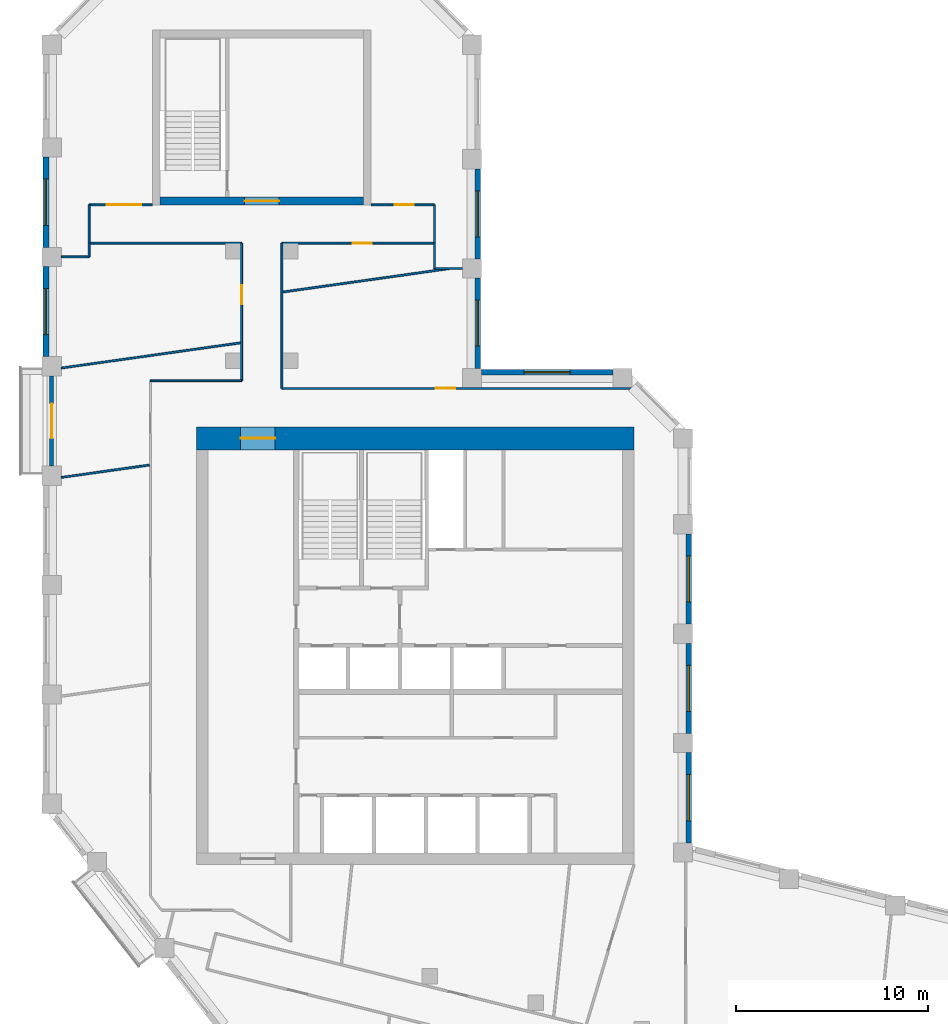
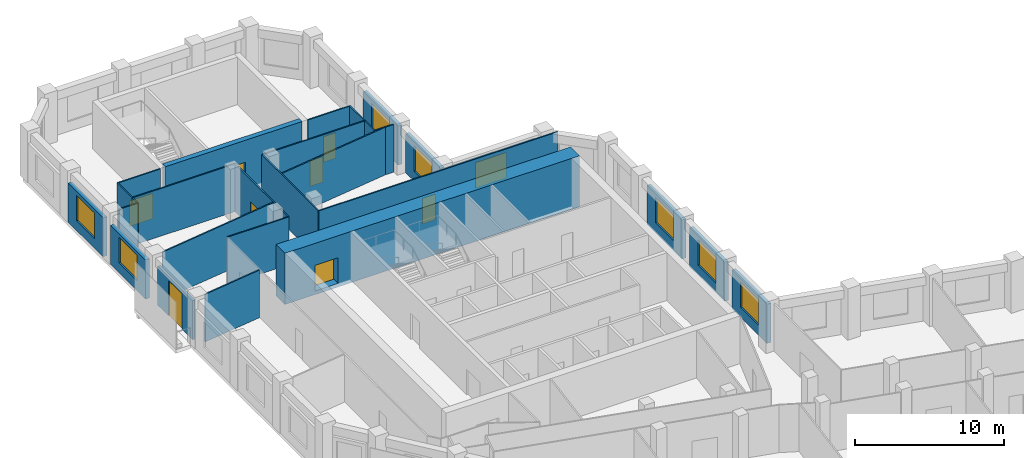
# One storey, part 6 of 9: 28 walls, 8 doors, 8 windows, 16 openings.
"""IFC4 building model written with IfcOpenShell, lengths in metres."""

from ifc_helpers import new_model, si_unit, direction, frame, frame_2d, origin, place, context, subcontext, project, spatial, rectangle, extrude, material, layer, layer_set, type_object, element, fill, save


model = new_model("IFC4")

# Units and contexts
model_context = context("Model", 3, precision=1e-05, world=origin(), true_north=direction((0.0, 1.0)))
body_context = subcontext(model_context, "Body", "Model", "MODEL_VIEW")
ifc_project = project(units=[si_unit("LENGTHUNIT", "METRE"), si_unit("AREAUNIT", "SQUARE_METRE"), si_unit("VOLUMEUNIT", "CUBIC_METRE"), si_unit("PLANEANGLEUNIT", "RADIAN"), si_unit("MASSUNIT", "GRAM", prefix="KILO")], contexts=[model_context])

# Site, building, storey
site_placement = place(None, origin())
site = spatial("IfcSite", under=ifc_project, at=site_placement, CompositionType="ELEMENT")
building_placement = place(site_placement, origin())
building = spatial("IfcBuilding", under=site, at=building_placement, Name="Meshkara Civic Tower", CompositionType="ELEMENT")
storey_placement = place(building_placement, frame((0.0, 0.0, 315.0)))
storey = spatial("IfcBuildingStorey", under=building, at=storey_placement, Name="L72", CompositionType="ELEMENT", Elevation=315.0)

# Wall, opening, door
ifc_material_1 = material(Name="Concrete C60", Category="concrete")
ifc_layer_1 = layer(ifc_material_1, 1.199951171875)
ifc_layer_set_1 = layer_set([ifc_layer_1], Name="Core ring wall 1200 C60")
wall_type_1 = type_object("IfcWallType", Name="Core ring wall 1200 C60", PredefinedType="SHEAR", material=ifc_layer_set_1)
wall_1_placement = place(storey_placement, frame((8.0, 36.300048828125, -0.300048828125), z_axis=(0.0, 0.0, 1.0), x_axis=(1.0, 0.0, 0.0)))
wall_1 = element("IfcWall", 1, at=wall_1_placement, inside=storey, type_object=wall_type_1, Name="L72-C002", PredefinedType="SHEAR", context=body_context, shape_type="SweptSolid", body=[
    extrude(rectangle(XDim=22.800048828125, YDim=1.199951171875, at=frame_2d((11.39990234375, 0.0))), origin(), (0.0, 0.0, 1.0), 4.199951171875),
])
opening_1_placement = place(wall_1_placement, frame((2.300048828125, 0.0, 0.300048828125)))
opening_1 = element("IfcOpeningElement", 2, at=opening_1_placement, cuts=wall_1, Name="Opening L72-K022", PredefinedType="OPENING", context=body_context, shape_type="SweptSolid", body=[
    extrude(rectangle(XDim=1.800048828125, YDim=2.10009765625, at=frame_2d((0.89990234375, 1.050048828125))), frame((0.0, 0.60986328125, 0.0), z_axis=(0.0, -1.0, 0.0), x_axis=(1.0, 0.0, 0.0)), (0.0, 0.0, 1.0), 1.219970703125),
])
ifc_material_2 = material(Name="Fire-rated door leaf in steel frame", Category="steel")
door_type_1 = type_object("IfcDoorType", Name="Core double door 1800 EI 60", OperationType="DOUBLE_DOOR_SINGLE_SWING", PredefinedType="DOOR", material=ifc_material_2)
door_1_placement = place(opening_1_placement, origin())
door_1 = element("IfcDoor", 3, at=door_1_placement, inside=storey, type_object=door_type_1, Name="L72-K022", OperationType="DOUBLE_DOOR_SINGLE_SWING", OverallHeight=2.10009765625, OverallWidth=1.800048828125, PredefinedType="DOOR", context=body_context, shape_type="SweptSolid", body=[
    extrude(rectangle(XDim=1.800048828125, YDim=2.10009765625, at=frame_2d((0.89990234375, 1.050048828125))), frame((0.0, 0.02490234375, 0.0), z_axis=(0.0, -1.0, 0.0), x_axis=(1.0, 0.0, 0.0)), (0.0, 0.0, 1.0), 0.050048828125),
])
fill(opening_1, door_1)

# Walls
ifc_material_3 = material(Name="Corridor wall 100")
ifc_layer_2 = layer(ifc_material_3, 0.10009765625)
ifc_layer_set_2 = layer_set([ifc_layer_2], Name="Corridor wall 100")
wall_type_2 = type_object("IfcWallType", Name="Corridor wall 100", PredefinedType="PARTITIONING", material=ifc_layer_set_2)
wall_2_placement = place(storey_placement, frame((2.39990234375, 46.469970703125, 0.0), z_axis=(0.0, 0.0, 1.0), x_axis=(1.0, 0.0, 0.0)))
element("IfcWall", 4, at=wall_2_placement, inside=storey, type_object=wall_type_2, Name="L72-W001", PredefinedType="PARTITIONING", context=body_context, shape_type="SweptSolid", body=[
    extrude(rectangle(XDim=7.9501953125, YDim=0.10009765625, at=frame_2d((3.97509765625, 0.0))), origin(), (0.0, 0.0, 1.0), 3.89990234375),
])
wall_3_placement = place(storey_placement, frame((2.39990234375, 48.469970703125, 0.0), z_axis=(0.0, 0.0, 1.0), x_axis=(0.0, -1.0, 0.0)))
element("IfcWall", 5, at=wall_3_placement, inside=storey, type_object=wall_type_2, Name="L72-W002", PredefinedType="PARTITIONING", context=body_context, shape_type="SweptSolid", body=[
    extrude(rectangle(XDim=2.0, YDim=0.10009765625, at=frame_2d((1.0, 0.0))), origin(), (0.0, 0.0, 1.0), 3.89990234375),
])

# Wall, opening, door
wall_4_placement = place(storey_placement, frame((5.699951171875, 48.469970703125, 0.0), z_axis=(0.0, 0.0, 1.0), x_axis=(-1.0, 0.0, 0.0)))
wall_4 = element("IfcWall", 6, at=wall_4_placement, inside=storey, type_object=wall_type_2, Name="L72-W005", PredefinedType="PARTITIONING", context=body_context, shape_type="SweptSolid", body=[
    extrude(rectangle(XDim=3.300048828125, YDim=0.10009765625, at=frame_2d((1.64990234375, 0.0))), origin(), (0.0, 0.0, 1.0), 3.89990234375),
])
opening_2_placement = place(wall_4_placement, frame((0.580078125, 0.0, 0.0)))
opening_2 = element("IfcOpeningElement", 7, at=opening_2_placement, cuts=wall_4, Name="Opening L72-D019", PredefinedType="OPENING", context=body_context, shape_type="SweptSolid", body=[
    extrude(rectangle(XDim=1.800048828125, YDim=2.10009765625, at=frame_2d((0.89990234375, 1.050048828125))), frame((0.0, 0.06005859375, 0.0), z_axis=(0.0, -1.0, 0.0), x_axis=(1.0, 0.0, 0.0)), (0.0, 0.0, 1.0), 0.1201171875),
])
ifc_material_4 = material(Name="Door pair 1800 x 2100")
door_type_2 = type_object("IfcDoorType", Name="Door pair 1800 x 2100", OperationType="SINGLE_SWING_LEFT", PredefinedType="DOOR", material=ifc_material_4)
door_2_placement = place(opening_2_placement, origin())
door_2 = element("IfcDoor", 8, at=door_2_placement, inside=storey, type_object=door_type_2, Name="L72-D019", OperationType="DOUBLE_DOOR_SINGLE_SWING", OverallHeight=2.10009765625, OverallWidth=1.800048828125, PredefinedType="DOOR", context=body_context, shape_type="SweptSolid", body=[
    extrude(rectangle(XDim=1.800048828125, YDim=2.10009765625, at=frame_2d((0.89990234375, 1.050048828125))), frame((0.0, 0.02490234375, 0.0), z_axis=(0.0, -1.0, 0.0), x_axis=(1.0, 0.0, 0.0)), (0.0, 0.0, 1.0), 0.050048828125),
])
fill(opening_2, door_2)

# Wall
wall_5_placement = place(storey_placement, frame((10.35009765625, 39.300048828125, 0.0), z_axis=(0.0, 0.0, 1.0), x_axis=(-1.0, 0.0, 0.0)))
element("IfcWall", 9, at=wall_5_placement, inside=storey, type_object=wall_type_2, Name="L72-W011", PredefinedType="PARTITIONING", context=body_context, shape_type="SweptSolid", body=[
    extrude(rectangle(XDim=4.75, YDim=0.10009765625, at=frame_2d((2.375, 0.0))), origin(), (0.0, 0.0, 1.0), 3.89990234375),
])

# Wall, opening, door
wall_6_placement = place(storey_placement, frame((10.35009765625, 46.469970703125, 0.0), z_axis=(0.0, 0.0, 1.0), x_axis=(0.0, -1.0, 0.0)))
wall_6 = element("IfcWall", 10, at=wall_6_placement, inside=storey, type_object=wall_type_2, Name="L72-W012", PredefinedType="PARTITIONING", context=body_context, shape_type="SweptSolid", body=[
    extrude(rectangle(XDim=7.169921875, YDim=0.10009765625, at=frame_2d((3.5849609375, 0.0))), origin(), (0.0, 0.0, 1.0), 3.89990234375),
])
opening_3_placement = place(wall_6_placement, frame((2.179931640625, 0.0, 0.0)))
opening_3 = element("IfcOpeningElement", 11, at=opening_3_placement, cuts=wall_6, Name="Opening L72-D017", PredefinedType="OPENING", context=body_context, shape_type="SweptSolid", body=[
    extrude(rectangle(XDim=1.0, YDim=2.10009765625, at=frame_2d((0.5, 1.050048828125))), frame((0.0, 0.06005859375, 0.0), z_axis=(0.0, -1.0, 0.0), x_axis=(1.0, 0.0, 0.0)), (0.0, 0.0, 1.0), 0.1201171875),
])
ifc_material_5 = material(Name="Door 1000 x 2100")
door_type_3 = type_object("IfcDoorType", Name="Door 1000 x 2100", OperationType="SINGLE_SWING_LEFT", PredefinedType="DOOR", material=ifc_material_5)
door_3_placement = place(opening_3_placement, origin())
door_3 = element("IfcDoor", 12, at=door_3_placement, inside=storey, type_object=door_type_3, Name="L72-D017", OperationType="SINGLE_SWING_LEFT", OverallHeight=2.10009765625, OverallWidth=1.0, PredefinedType="DOOR", context=body_context, shape_type="SweptSolid", body=[
    extrude(rectangle(XDim=1.0, YDim=2.10009765625, at=frame_2d((0.5, 1.050048828125))), frame((0.0, 0.02490234375, 0.0), z_axis=(0.0, -1.0, 0.0), x_axis=(1.0, 0.0, 0.0)), (0.0, 0.0, 1.0), 0.050048828125),
])
fill(opening_3, door_3)

# Wall
wall_7_placement = place(storey_placement, frame((12.449951171875, 46.469970703125, 0.0), z_axis=(0.0, 0.0, 1.0), x_axis=(0.0, -1.0, 0.0)))
element("IfcWall", 13, at=wall_7_placement, inside=storey, type_object=wall_type_2, Name="L72-W013", PredefinedType="PARTITIONING", context=body_context, shape_type="SweptSolid", body=[
    extrude(rectangle(XDim=7.570068359375, YDim=0.10009765625, at=frame_2d((3.78515625, 0.0))), origin(), (0.0, 0.0, 1.0), 3.89990234375),
])

# Wall, opening, door
wall_8_placement = place(storey_placement, frame((12.449951171875, 46.469970703125, 0.0), z_axis=(0.0, 0.0, 1.0), x_axis=(1.0, 0.0, 0.0)))
wall_8 = element("IfcWall", 14, at=wall_8_placement, inside=storey, type_object=wall_type_2, Name="L72-W014", PredefinedType="PARTITIONING", context=body_context, shape_type="SweptSolid", body=[
    extrude(rectangle(XDim=7.949951171875, YDim=0.10009765625, at=frame_2d((3.97509765625, 0.0))), origin(), (0.0, 0.0, 1.0), 3.89990234375),
])
opening_4_placement = place(wall_8_placement, frame((3.679931640625, 0.0, 0.0)))
opening_4 = element("IfcOpeningElement", 15, at=opening_4_placement, cuts=wall_8, Name="Opening L72-D018", PredefinedType="OPENING", context=body_context, shape_type="SweptSolid", body=[
    extrude(rectangle(XDim=1.0, YDim=2.10009765625, at=frame_2d((0.5, 1.050048828125))), frame((0.0, 0.06005859375, 0.0), z_axis=(0.0, -1.0, 0.0), x_axis=(1.0, 0.0, 0.0)), (0.0, 0.0, 1.0), 0.1201171875),
])
door_4_placement = place(opening_4_placement, origin())
door_4 = element("IfcDoor", 16, at=door_4_placement, inside=storey, type_object=door_type_3, Name="L72-D018", OperationType="SINGLE_SWING_LEFT", OverallHeight=2.10009765625, OverallWidth=1.0, PredefinedType="DOOR", context=body_context, shape_type="SweptSolid", body=[
    extrude(rectangle(XDim=1.0, YDim=2.10009765625, at=frame_2d((0.5, 1.050048828125))), frame((0.0, 0.02490234375, 0.0), z_axis=(0.0, -1.0, 0.0), x_axis=(1.0, 0.0, 0.0)), (0.0, 0.0, 1.0), 0.050048828125),
])
fill(opening_4, door_4)

# Wall
wall_9_placement = place(storey_placement, frame((20.39990234375, 46.469970703125, 0.0), z_axis=(0.0, 0.0, 1.0), x_axis=(0.0, 1.0, 0.0)))
element("IfcWall", 17, at=wall_9_placement, inside=storey, type_object=wall_type_2, Name="L72-W016", PredefinedType="PARTITIONING", context=body_context, shape_type="SweptSolid", body=[
    extrude(rectangle(XDim=2.0, YDim=0.10009765625, at=frame_2d((1.0, 0.0))), origin(), (0.0, 0.0, 1.0), 3.89990234375),
])

# Wall, opening, door
wall_10_placement = place(storey_placement, frame((20.39990234375, 48.469970703125, 0.0), z_axis=(0.0, 0.0, 1.0), x_axis=(-1.0, 0.0, 0.0)))
wall_10 = element("IfcWall", 18, at=wall_10_placement, inside=storey, type_object=wall_type_2, Name="L72-W017", PredefinedType="PARTITIONING", context=body_context, shape_type="SweptSolid", body=[
    extrude(rectangle(XDim=3.2998046875, YDim=0.10009765625, at=frame_2d((1.64990234375, 0.0))), origin(), (0.0, 0.0, 1.0), 3.89990234375),
])
opening_5_placement = place(wall_10_placement, frame((1.080078125, 0.0, 0.0)))
opening_5 = element("IfcOpeningElement", 19, at=opening_5_placement, cuts=wall_10, Name="Opening L72-D020", PredefinedType="OPENING", context=body_context, shape_type="SweptSolid", body=[
    extrude(rectangle(XDim=1.0, YDim=2.10009765625, at=frame_2d((0.5, 1.050048828125))), frame((0.0, 0.06005859375, 0.0), z_axis=(0.0, -1.0, 0.0), x_axis=(1.0, 0.0, 0.0)), (0.0, 0.0, 1.0), 0.1201171875),
])
door_5_placement = place(opening_5_placement, origin())
door_5 = element("IfcDoor", 20, at=door_5_placement, inside=storey, type_object=door_type_3, Name="L72-D020", OperationType="SINGLE_SWING_RIGHT", OverallHeight=2.10009765625, OverallWidth=1.0, PredefinedType="DOOR", context=body_context, shape_type="SweptSolid", body=[
    extrude(rectangle(XDim=1.0, YDim=2.10009765625, at=frame_2d((0.5, 1.050048828125))), frame((0.0, 0.02490234375, 0.0), z_axis=(0.0, -1.0, 0.0), x_axis=(1.0, 0.0, 0.0)), (0.0, 0.0, 1.0), 0.050048828125),
])
fill(opening_5, door_5)

wall_11_placement = place(storey_placement, frame((30.9560546875, 38.89990234375, 0.0), z_axis=(0.0, 0.0, 1.0), x_axis=(-1.0, 0.0, 0.0)))
wall_11 = element("IfcWall", 21, at=wall_11_placement, inside=storey, type_object=wall_type_2, Name="L72-W021", PredefinedType="PARTITIONING", context=body_context, shape_type="SweptSolid", body=[
    extrude(rectangle(XDim=18.506103515625, YDim=0.10009765625, at=frame_2d((9.2529296875, 0.0))), origin(), (0.0, 0.0, 1.0), 3.89990234375),
])
opening_6_placement = place(wall_11_placement, frame((9.47998046875, 0.0, 0.0)))
opening_6 = element("IfcOpeningElement", 22, at=opening_6_placement, cuts=wall_11, Name="Opening L72-D016", PredefinedType="OPENING", context=body_context, shape_type="SweptSolid", body=[
    extrude(rectangle(XDim=1.0, YDim=2.10009765625, at=frame_2d((0.5, 1.050048828125))), frame((0.0, 0.06005859375, 0.0), z_axis=(0.0, -1.0, 0.0), x_axis=(1.0, 0.0, 0.0)), (0.0, 0.0, 1.0), 0.1201171875),
])
door_6_placement = place(opening_6_placement, origin())
door_6 = element("IfcDoor", 23, at=door_6_placement, inside=storey, type_object=door_type_3, Name="L72-D016", OperationType="SINGLE_SWING_LEFT", OverallHeight=2.10009765625, OverallWidth=1.0, PredefinedType="DOOR", context=body_context, shape_type="SweptSolid", body=[
    extrude(rectangle(XDim=1.0, YDim=2.10009765625, at=frame_2d((0.5, 1.050048828125))), frame((0.0, 0.02490234375, 0.0), z_axis=(0.0, -1.0, 0.0), x_axis=(1.0, 0.0, 0.0)), (0.0, 0.0, 1.0), 0.050048828125),
])
fill(opening_6, door_6)

# Wall, opening, window
ifc_material_6 = material(Name="Insulated infill panel with bronze anodised aluminium cladding", Category="aluminium")
ifc_layer_3 = layer(ifc_material_6, 0.300048828125)
ifc_layer_set_3 = layer_set([ifc_layer_3], Name="EXTERNAL INFILL WALL 300")
wall_type_3 = type_object("IfcWallType", Name="EXTERNAL INFILL WALL 300", PredefinedType="SOLIDWALL", material=ifc_layer_set_3)
wall_12_placement = place(storey_placement, frame((33.64990234375, 15.218994140625, 0.0), z_axis=(0.0, 0.0, 1.0), x_axis=(0.0, 1.0, 0.0)))
wall_12 = element("IfcWall", 24, at=wall_12_placement, inside=storey, type_object=wall_type_3, Name="External wall", PredefinedType="SOLIDWALL", context=body_context, shape_type="SweptSolid", body=[
    extrude(rectangle(XDim=4.699951171875, YDim=0.300048828125, at=frame_2d((2.35009765625, 0.0))), origin(), (0.0, 0.0, 1.0), 3.199951171875),
])
opening_7_placement = place(wall_12_placement, frame((1.14990234375, 0.0, 0.800048828125)))
opening_7 = element("IfcOpeningElement", 25, at=opening_7_placement, cuts=wall_12, Name="Opening W7", PredefinedType="OPENING", context=body_context, shape_type="SweptSolid", body=[
    extrude(rectangle(XDim=2.39990234375, YDim=2.10009765625, at=frame_2d((1.199951171875, 1.050048828125))), frame((0.0, 0.159912109375, 0.0), z_axis=(0.0, -1.0, 0.0), x_axis=(1.0, 0.0, 0.0)), (0.0, 0.0, 1.0), 0.320068359375),
])
ifc_material_7 = material(Name="Tinted double glazing", Category="glass")
window_type = type_object("IfcWindowType", Name="WINDOW 2400x2100", PartitioningType="DOUBLE_PANEL_VERTICAL", PredefinedType="WINDOW", material=ifc_material_7)
window_1_placement = place(opening_7_placement, origin())
window_1 = element("IfcWindow", 26, at=window_1_placement, inside=storey, type_object=window_type, Name="Window", OverallHeight=2.10009765625, OverallWidth=2.39990234375, PartitioningType="DOUBLE_PANEL_VERTICAL", PredefinedType="WINDOW", context=body_context, shape_type="SweptSolid", body=[
    extrude(rectangle(XDim=2.39990234375, YDim=2.10009765625, at=frame_2d((1.199951171875, 1.050048828125))), frame((0.0, 0.030029296875, 0.0), z_axis=(0.0, -1.0, 0.0), x_axis=(1.0, 0.0, 0.0)), (0.0, 0.0, 1.0), 0.06005859375),
])
fill(opening_7, window_1)

wall_13_placement = place(storey_placement, frame((33.64990234375, 20.9189453125, 0.0), z_axis=(0.0, 0.0, 1.0), x_axis=(0.0, 1.0, 0.0)))
wall_13 = element("IfcWall", 27, at=wall_13_placement, inside=storey, type_object=wall_type_3, Name="External wall", PredefinedType="SOLIDWALL", context=body_context, shape_type="SweptSolid", body=[
    extrude(rectangle(XDim=4.699951171875, YDim=0.300048828125, at=frame_2d((2.35009765625, 0.0))), origin(), (0.0, 0.0, 1.0), 3.199951171875),
])
opening_8_placement = place(wall_13_placement, frame((1.14990234375, 0.0, 0.800048828125)))
opening_8 = element("IfcOpeningElement", 28, at=opening_8_placement, cuts=wall_13, Name="Opening W7", PredefinedType="OPENING", context=body_context, shape_type="SweptSolid", body=[
    extrude(rectangle(XDim=2.39990234375, YDim=2.10009765625, at=frame_2d((1.199951171875, 1.050048828125))), frame((0.0, 0.159912109375, 0.0), z_axis=(0.0, -1.0, 0.0), x_axis=(1.0, 0.0, 0.0)), (0.0, 0.0, 1.0), 0.320068359375),
])
window_2_placement = place(opening_8_placement, origin())
window_2 = element("IfcWindow", 29, at=window_2_placement, inside=storey, type_object=window_type, Name="Window", OverallHeight=2.10009765625, OverallWidth=2.39990234375, PartitioningType="DOUBLE_PANEL_VERTICAL", PredefinedType="WINDOW", context=body_context, shape_type="SweptSolid", body=[
    extrude(rectangle(XDim=2.39990234375, YDim=2.10009765625, at=frame_2d((1.199951171875, 1.050048828125))), frame((0.0, 0.030029296875, 0.0), z_axis=(0.0, -1.0, 0.0), x_axis=(1.0, 0.0, 0.0)), (0.0, 0.0, 1.0), 0.06005859375),
])
fill(opening_8, window_2)

wall_14_placement = place(storey_placement, frame((33.64990234375, 26.618896484375, 0.0), z_axis=(0.0, 0.0, 1.0), x_axis=(0.0, 1.0, 0.0)))
wall_14 = element("IfcWall", 30, at=wall_14_placement, inside=storey, type_object=wall_type_3, Name="External wall", PredefinedType="SOLIDWALL", context=body_context, shape_type="SweptSolid", body=[
    extrude(rectangle(XDim=4.7001953125, YDim=0.300048828125, at=frame_2d((2.35009765625, 0.0))), origin(), (0.0, 0.0, 1.0), 3.199951171875),
])
opening_9_placement = place(wall_14_placement, frame((1.14990234375, 0.0, 0.800048828125)))
opening_9 = element("IfcOpeningElement", 31, at=opening_9_placement, cuts=wall_14, Name="Opening W7", PredefinedType="OPENING", context=body_context, shape_type="SweptSolid", body=[
    extrude(rectangle(XDim=2.39990234375, YDim=2.10009765625, at=frame_2d((1.199951171875, 1.050048828125))), frame((0.0, 0.159912109375, 0.0), z_axis=(0.0, -1.0, 0.0), x_axis=(1.0, 0.0, 0.0)), (0.0, 0.0, 1.0), 0.320068359375),
])
window_3_placement = place(opening_9_placement, origin())
window_3 = element("IfcWindow", 32, at=window_3_placement, inside=storey, type_object=window_type, Name="Window", OverallHeight=2.10009765625, OverallWidth=2.39990234375, PartitioningType="DOUBLE_PANEL_VERTICAL", PredefinedType="WINDOW", context=body_context, shape_type="SweptSolid", body=[
    extrude(rectangle(XDim=2.39990234375, YDim=2.10009765625, at=frame_2d((1.199951171875, 1.050048828125))), frame((0.0, 0.030029296875, 0.0), z_axis=(0.0, -1.0, 0.0), x_axis=(1.0, 0.0, 0.0)), (0.0, 0.0, 1.0), 0.06005859375),
])
fill(opening_9, window_3)

wall_15_placement = place(storey_placement, frame((29.694091796875, 39.75, 0.0), z_axis=(0.0, 0.0, 1.0), x_axis=(-1.0, 0.0, 0.0)))
wall_15 = element("IfcWall", 33, at=wall_15_placement, inside=storey, type_object=wall_type_3, Name="External wall", PredefinedType="SOLIDWALL", context=body_context, shape_type="SweptSolid", body=[
    extrude(rectangle(XDim=6.843994140625, YDim=0.300048828125, at=frame_2d((3.421875, 0.0))), origin(), (0.0, 0.0, 1.0), 3.199951171875),
])
opening_10_placement = place(wall_15_placement, frame((2.221923828125, 0.0, 0.800048828125)))
opening_10 = element("IfcOpeningElement", 34, at=opening_10_placement, cuts=wall_15, Name="Opening W7", PredefinedType="OPENING", context=body_context, shape_type="SweptSolid", body=[
    extrude(rectangle(XDim=2.39990234375, YDim=2.10009765625, at=frame_2d((1.199951171875, 1.050048828125))), frame((0.0, 0.159912109375, 0.0), z_axis=(0.0, -1.0, 0.0), x_axis=(1.0, 0.0, 0.0)), (0.0, 0.0, 1.0), 0.320068359375),
])
window_4_placement = place(opening_10_placement, origin())
window_4 = element("IfcWindow", 35, at=window_4_placement, inside=storey, type_object=window_type, Name="Window", OverallHeight=2.10009765625, OverallWidth=2.39990234375, PartitioningType="DOUBLE_PANEL_VERTICAL", PredefinedType="WINDOW", context=body_context, shape_type="SweptSolid", body=[
    extrude(rectangle(XDim=2.39990234375, YDim=2.10009765625, at=frame_2d((1.199951171875, 1.050048828125))), frame((0.0, 0.030029296875, 0.0), z_axis=(0.0, -1.0, 0.0), x_axis=(1.0, 0.0, 0.0)), (0.0, 0.0, 1.0), 0.06005859375),
])
fill(opening_10, window_4)

wall_16_placement = place(storey_placement, frame((22.64990234375, 39.949951171875, 0.0), z_axis=(0.0, 0.0, 1.0), x_axis=(0.0, 1.0, 0.0)))
wall_16 = element("IfcWall", 36, at=wall_16_placement, inside=storey, type_object=wall_type_3, Name="External wall", PredefinedType="SOLIDWALL", context=body_context, shape_type="SweptSolid", body=[
    extrude(rectangle(XDim=4.699951171875, YDim=0.300048828125, at=frame_2d((2.35009765625, 0.0))), origin(), (0.0, 0.0, 1.0), 3.199951171875),
])
opening_11_placement = place(wall_16_placement, frame((1.14990234375, 0.0, 0.800048828125)))
opening_11 = element("IfcOpeningElement", 37, at=opening_11_placement, cuts=wall_16, Name="Opening W7", PredefinedType="OPENING", context=body_context, shape_type="SweptSolid", body=[
    extrude(rectangle(XDim=2.39990234375, YDim=2.10009765625, at=frame_2d((1.199951171875, 1.050048828125))), frame((0.0, 0.159912109375, 0.0), z_axis=(0.0, -1.0, 0.0), x_axis=(1.0, 0.0, 0.0)), (0.0, 0.0, 1.0), 0.320068359375),
])
window_5_placement = place(opening_11_placement, origin())
window_5 = element("IfcWindow", 38, at=window_5_placement, inside=storey, type_object=window_type, Name="Window", OverallHeight=2.10009765625, OverallWidth=2.39990234375, PartitioningType="DOUBLE_PANEL_VERTICAL", PredefinedType="WINDOW", context=body_context, shape_type="SweptSolid", body=[
    extrude(rectangle(XDim=2.39990234375, YDim=2.10009765625, at=frame_2d((1.199951171875, 1.050048828125))), frame((0.0, 0.030029296875, 0.0), z_axis=(0.0, -1.0, 0.0), x_axis=(1.0, 0.0, 0.0)), (0.0, 0.0, 1.0), 0.06005859375),
])
fill(opening_11, window_5)

wall_17_placement = place(storey_placement, frame((22.64990234375, 45.64990234375, 0.0), z_axis=(0.0, 0.0, 1.0), x_axis=(0.0, 1.0, 0.0)))
wall_17 = element("IfcWall", 39, at=wall_17_placement, inside=storey, type_object=wall_type_3, Name="External wall", PredefinedType="SOLIDWALL", context=body_context, shape_type="SweptSolid", body=[
    extrude(rectangle(XDim=4.7001953125, YDim=0.300048828125, at=frame_2d((2.35009765625, 0.0))), origin(), (0.0, 0.0, 1.0), 3.199951171875),
])
opening_12_placement = place(wall_17_placement, frame((1.14990234375, 0.0, 0.800048828125)))
opening_12 = element("IfcOpeningElement", 40, at=opening_12_placement, cuts=wall_17, Name="Opening W7", PredefinedType="OPENING", context=body_context, shape_type="SweptSolid", body=[
    extrude(rectangle(XDim=2.39990234375, YDim=2.10009765625, at=frame_2d((1.199951171875, 1.050048828125))), frame((0.0, 0.159912109375, 0.0), z_axis=(0.0, -1.0, 0.0), x_axis=(1.0, 0.0, 0.0)), (0.0, 0.0, 1.0), 0.320068359375),
])
window_6_placement = place(opening_12_placement, origin())
window_6 = element("IfcWindow", 41, at=window_6_placement, inside=storey, type_object=window_type, Name="Window", OverallHeight=2.10009765625, OverallWidth=2.39990234375, PartitioningType="DOUBLE_PANEL_VERTICAL", PredefinedType="WINDOW", context=body_context, shape_type="SweptSolid", body=[
    extrude(rectangle(XDim=2.39990234375, YDim=2.10009765625, at=frame_2d((1.199951171875, 1.050048828125))), frame((0.0, 0.030029296875, 0.0), z_axis=(0.0, -1.0, 0.0), x_axis=(1.0, 0.0, 0.0)), (0.0, 0.0, 1.0), 0.06005859375),
])
fill(opening_12, window_6)

wall_18_placement = place(storey_placement, frame((0.14990234375, 50.955078125, 0.0), z_axis=(0.0, 0.0, 1.0), x_axis=(0.0, -1.0, 0.0)))
wall_18 = element("IfcWall", 42, at=wall_18_placement, inside=storey, type_object=wall_type_3, Name="External wall", PredefinedType="SOLIDWALL", context=body_context, shape_type="SweptSolid", body=[
    extrude(rectangle(XDim=4.7001953125, YDim=0.300048828125, at=frame_2d((2.35009765625, 0.0))), origin(), (0.0, 0.0, 1.0), 3.199951171875),
])
opening_13_placement = place(wall_18_placement, frame((1.14990234375, 0.0, 0.800048828125)))
opening_13 = element("IfcOpeningElement", 43, at=opening_13_placement, cuts=wall_18, Name="Opening W7", PredefinedType="OPENING", context=body_context, shape_type="SweptSolid", body=[
    extrude(rectangle(XDim=2.39990234375, YDim=2.10009765625, at=frame_2d((1.199951171875, 1.050048828125))), frame((0.0, 0.159912109375, 0.0), z_axis=(0.0, -1.0, 0.0), x_axis=(1.0, 0.0, 0.0)), (0.0, 0.0, 1.0), 0.320068359375),
])
window_7_placement = place(opening_13_placement, origin())
window_7 = element("IfcWindow", 44, at=window_7_placement, inside=storey, type_object=window_type, Name="Window", OverallHeight=2.10009765625, OverallWidth=2.39990234375, PartitioningType="DOUBLE_PANEL_VERTICAL", PredefinedType="WINDOW", context=body_context, shape_type="SweptSolid", body=[
    extrude(rectangle(XDim=2.39990234375, YDim=2.10009765625, at=frame_2d((1.199951171875, 1.050048828125))), frame((0.0, 0.030029296875, 0.0), z_axis=(0.0, -1.0, 0.0), x_axis=(1.0, 0.0, 0.0)), (0.0, 0.0, 1.0), 0.06005859375),
])
fill(opening_13, window_7)

wall_19_placement = place(storey_placement, frame((0.14990234375, 45.2548828125, 0.0), z_axis=(0.0, 0.0, 1.0), x_axis=(0.0, -1.0, 0.0)))
wall_19 = element("IfcWall", 45, at=wall_19_placement, inside=storey, type_object=wall_type_3, Name="External wall", PredefinedType="SOLIDWALL", context=body_context, shape_type="SweptSolid", body=[
    extrude(rectangle(XDim=4.699951171875, YDim=0.300048828125, at=frame_2d((2.35009765625, 0.0))), origin(), (0.0, 0.0, 1.0), 3.199951171875),
])
opening_14_placement = place(wall_19_placement, frame((1.14990234375, 0.0, 0.800048828125)))
opening_14 = element("IfcOpeningElement", 46, at=opening_14_placement, cuts=wall_19, Name="Opening W7", PredefinedType="OPENING", context=body_context, shape_type="SweptSolid", body=[
    extrude(rectangle(XDim=2.39990234375, YDim=2.10009765625, at=frame_2d((1.199951171875, 1.050048828125))), frame((0.0, 0.159912109375, 0.0), z_axis=(0.0, -1.0, 0.0), x_axis=(1.0, 0.0, 0.0)), (0.0, 0.0, 1.0), 0.320068359375),
])
window_8_placement = place(opening_14_placement, origin())
window_8 = element("IfcWindow", 47, at=window_8_placement, inside=storey, type_object=window_type, Name="Window", OverallHeight=2.10009765625, OverallWidth=2.39990234375, PartitioningType="DOUBLE_PANEL_VERTICAL", PredefinedType="WINDOW", context=body_context, shape_type="SweptSolid", body=[
    extrude(rectangle(XDim=2.39990234375, YDim=2.10009765625, at=frame_2d((1.199951171875, 1.050048828125))), frame((0.0, 0.030029296875, 0.0), z_axis=(0.0, -1.0, 0.0), x_axis=(1.0, 0.0, 0.0)), (0.0, 0.0, 1.0), 0.06005859375),
])
fill(opening_14, window_8)

# Wall, opening, door
ifc_material_8 = material(Name="Concrete C60", Category="concrete")
ifc_layer_4 = layer(ifc_material_8, 0.39990234375)
ifc_layer_set_4 = layer_set([ifc_layer_4], Name="End core ring wall 400 C60")
wall_type_4 = type_object("IfcWallType", Name="End core ring wall 400 C60", PredefinedType="SHEAR", material=ifc_layer_set_4)
wall_20_placement = place(storey_placement, frame((6.10009765625, 48.669921875, -0.300048828125), z_axis=(0.0, 0.0, 1.0), x_axis=(1.0, 0.0, 0.0)))
wall_20 = element("IfcWall", 48, at=wall_20_placement, inside=storey, type_object=wall_type_4, Name="L72-C029", PredefinedType="SHEAR", context=body_context, shape_type="SweptSolid", body=[
    extrude(rectangle(XDim=10.599853515625, YDim=0.39990234375, at=frame_2d((5.2998046875, 0.0))), origin(), (0.0, 0.0, 1.0), 4.199951171875),
])
opening_15_placement = place(wall_20_placement, frame((4.39990234375, 0.0, 0.300048828125)))
opening_15 = element("IfcOpeningElement", 49, at=opening_15_placement, cuts=wall_20, Name="Opening L72-K102", PredefinedType="OPENING", context=body_context, shape_type="SweptSolid", body=[
    extrude(rectangle(XDim=1.800048828125, YDim=2.10009765625, at=frame_2d((0.89990234375, 1.050048828125))), frame((0.0, 0.2099609375, 0.0), z_axis=(0.0, -1.0, 0.0), x_axis=(1.0, 0.0, 0.0)), (0.0, 0.0, 1.0), 0.419921875),
])
door_7_placement = place(opening_15_placement, origin())
door_7 = element("IfcDoor", 50, at=door_7_placement, inside=storey, type_object=door_type_1, Name="L72-K102", OperationType="DOUBLE_DOOR_SINGLE_SWING", OverallHeight=2.10009765625, OverallWidth=1.800048828125, PredefinedType="DOOR", context=body_context, shape_type="SweptSolid", body=[
    extrude(rectangle(XDim=1.800048828125, YDim=2.10009765625, at=frame_2d((0.89990234375, 1.050048828125))), frame((0.0, 0.02490234375, 0.0), z_axis=(0.0, -1.0, 0.0), x_axis=(1.0, 0.0, 0.0)), (0.0, 0.0, 1.0), 0.050048828125),
])
fill(opening_15, door_7)

ifc_material_9 = material(Name="Insulated infill panel with bronze anodised aluminium cladding", Category="aluminium")
ifc_layer_5 = layer(ifc_material_9, 0.199951171875)
ifc_layer_set_5 = layer_set([ifc_layer_5], Name="LOGGIA BACK WALL 200")
wall_type_5 = type_object("IfcWallType", Name="LOGGIA BACK WALL 200", PredefinedType="SOLIDWALL", material=ifc_layer_set_5)
wall_21_placement = place(storey_placement, frame((0.449951171875, 39.554931640625, 0.0), z_axis=(0.0, 0.0, 1.0), x_axis=(0.0, -1.0, 0.0)))
wall_21 = element("IfcWall", 51, at=wall_21_placement, inside=storey, type_object=wall_type_5, Name="Loggia wall", PredefinedType="SOLIDWALL", context=body_context, shape_type="SweptSolid", body=[
    extrude(rectangle(XDim=4.699951171875, YDim=0.199951171875, at=frame_2d((2.35009765625, 0.0))), origin(), (0.0, 0.0, 1.0), 3.199951171875),
])
opening_16_placement = place(wall_21_placement, frame((1.449951171875, 0.0, 0.0)))
opening_16 = element("IfcOpeningElement", 52, at=opening_16_placement, cuts=wall_21, Name="Opening L72-L001", PredefinedType="OPENING", context=body_context, shape_type="SweptSolid", body=[
    extrude(rectangle(XDim=1.800048828125, YDim=2.89990234375, at=frame_2d((0.89990234375, 1.449951171875))), frame((0.0, 0.10986328125, 0.0), z_axis=(0.0, -1.0, 0.0), x_axis=(1.0, 0.0, 0.0)), (0.0, 0.0, 1.0), 0.219970703125),
])
ifc_material_10 = material(Name="Tinted double glazing", Category="glass")
door_type_4 = type_object("IfcDoorType", Name="LOGGIA DOOR 1800x2900", OperationType="DOUBLE_DOOR_SINGLE_SWING", PredefinedType="DOOR", material=ifc_material_10)
door_8_placement = place(opening_16_placement, origin())
door_8 = element("IfcDoor", 53, at=door_8_placement, inside=storey, type_object=door_type_4, Name="L72-L001", OperationType="DOUBLE_DOOR_SINGLE_SWING", OverallHeight=2.89990234375, OverallWidth=1.800048828125, PredefinedType="DOOR", context=body_context, shape_type="SweptSolid", body=[
    extrude(rectangle(XDim=1.800048828125, YDim=2.89990234375, at=frame_2d((0.89990234375, 1.449951171875))), frame((0.0, 0.02490234375, 0.0), z_axis=(0.0, -1.0, 0.0), x_axis=(1.0, 0.0, 0.0)), (0.0, 0.0, 1.0), 0.050048828125),
])
fill(opening_16, door_8)

# Walls
ifc_material_11 = material(Name="Partition 100")
ifc_layer_6 = layer(ifc_material_11, 0.10009765625)
ifc_layer_set_6 = layer_set([ifc_layer_6], Name="Partition 100")
wall_type_6 = type_object("IfcWallType", Name="Partition 100", PredefinedType="PARTITIONING", material=ifc_layer_set_6)
wall_22_placement = place(storey_placement, frame((2.39990234375, 45.7548828125, 0.0), z_axis=(0.0, 0.0, 1.0), x_axis=(-1.0, 0.0, 0.0)))
element("IfcWall", 54, at=wall_22_placement, inside=storey, type_object=wall_type_6, Name="L72-W036", PredefinedType="PARTITIONING", context=body_context, shape_type="SweptSolid", body=[
    extrude(rectangle(XDim=1.449951171875, YDim=0.10009765625, at=frame_2d((0.72509765625, 0.0))), origin(), (0.0, 0.0, 1.0), 3.89990234375),
])
wall_23_placement = place(storey_placement, frame((2.39990234375, 46.47412109375, 0.0), z_axis=(0.0, 0.0, 1.0), x_axis=(0.0, -1.0, 0.0)))
element("IfcWall", 55, at=wall_23_placement, inside=storey, type_object=wall_type_6, Name="L72-W037", PredefinedType="PARTITIONING", context=body_context, shape_type="SweptSolid", body=[
    extrude(rectangle(XDim=0.71923828125, YDim=0.10009765625, at=frame_2d((0.359619140625, 0.0))), origin(), (0.0, 0.0, 1.0), 3.89990234375),
])
wall_24_placement = place(storey_placement, frame((5.54296875, 34.908935546875, 0.0), z_axis=(0.0, 0.0, 1.0), x_axis=(-0.990253516423, -0.139276606839, 0.0)))
element("IfcWall", 56, at=wall_24_placement, inside=storey, type_object=wall_type_6, Name="L72-W039", PredefinedType="PARTITIONING", context=body_context, shape_type="SweptSolid", body=[
    extrude(rectangle(XDim=4.63818359375, YDim=0.10009765625, at=frame_2d((2.319091796875, 0.0))), origin(), (0.0, 0.0, 1.0), 3.89990234375),
])
wall_25_placement = place(storey_placement, frame((10.29296875, 41.27587890625, 0.0), z_axis=(0.0, 0.0, 1.0), x_axis=(-0.990269342583, -0.139164036803, 0.0)))
element("IfcWall", 57, at=wall_25_placement, inside=storey, type_object=wall_type_6, Name="L72-W042", PredefinedType="PARTITIONING", context=body_context, shape_type="SweptSolid", body=[
    extrude(rectangle(XDim=9.434814453125, YDim=0.10009765625, at=frame_2d((4.71728515625, 0.0))), origin(), (0.0, 0.0, 1.0), 3.89990234375),
])
wall_26_placement = place(storey_placement, frame((20.39990234375, 45.14990234375, 0.0), z_axis=(0.0, 0.0, 1.0), x_axis=(1.0, 0.0, 0.0)))
element("IfcWall", 58, at=wall_26_placement, inside=storey, type_object=wall_type_6, Name="L72-W045", PredefinedType="PARTITIONING", context=body_context, shape_type="SweptSolid", body=[
    extrude(rectangle(XDim=1.4501953125, YDim=0.10009765625, at=frame_2d((0.72509765625, 0.0))), origin(), (0.0, 0.0, 1.0), 3.89990234375),
])
wall_27_placement = place(storey_placement, frame((20.39990234375, 46.47412109375, 0.0), z_axis=(0.0, 0.0, 1.0), x_axis=(0.0, -1.0, 0.0)))
element("IfcWall", 59, at=wall_27_placement, inside=storey, type_object=wall_type_6, Name="L72-W046", PredefinedType="PARTITIONING", context=body_context, shape_type="SweptSolid", body=[
    extrude(rectangle(XDim=1.32421875, YDim=0.10009765625, at=frame_2d((0.662109375, 0.0))), origin(), (0.0, 0.0, 1.0), 3.89990234375),
])
wall_28_placement = place(storey_placement, frame((21.200927734375, 45.14990234375, 0.0), z_axis=(0.0, 0.0, 1.0), x_axis=(-0.990266762271, -0.139182396663, 0.0)))
element("IfcWall", 60, at=wall_28_placement, inside=storey, type_object=wall_type_6, Name="L72-W047", PredefinedType="PARTITIONING", context=body_context, shape_type="SweptSolid", body=[
    extrude(rectangle(XDim=8.779296875, YDim=0.10009765625, at=frame_2d((4.3896484375, 0.0))), origin(), (0.0, 0.0, 1.0), 3.89990234375),
])

save(model, "model.ifc")
